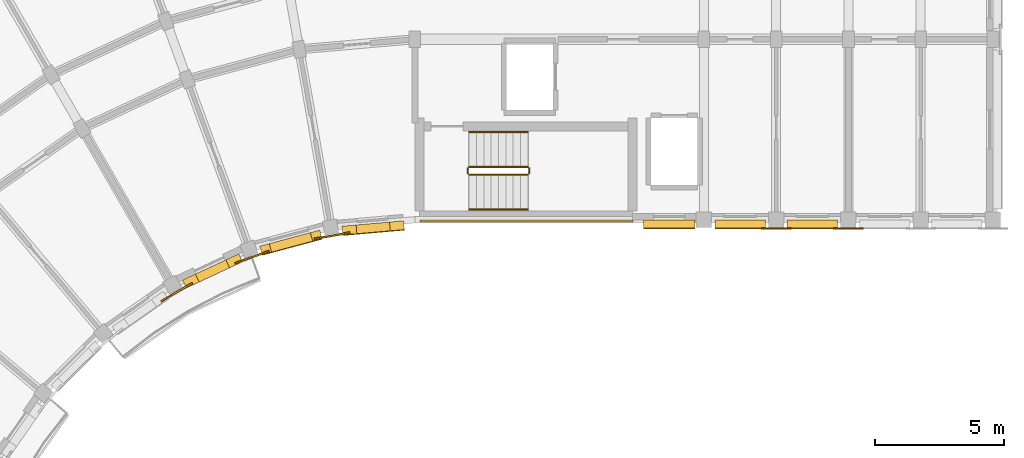
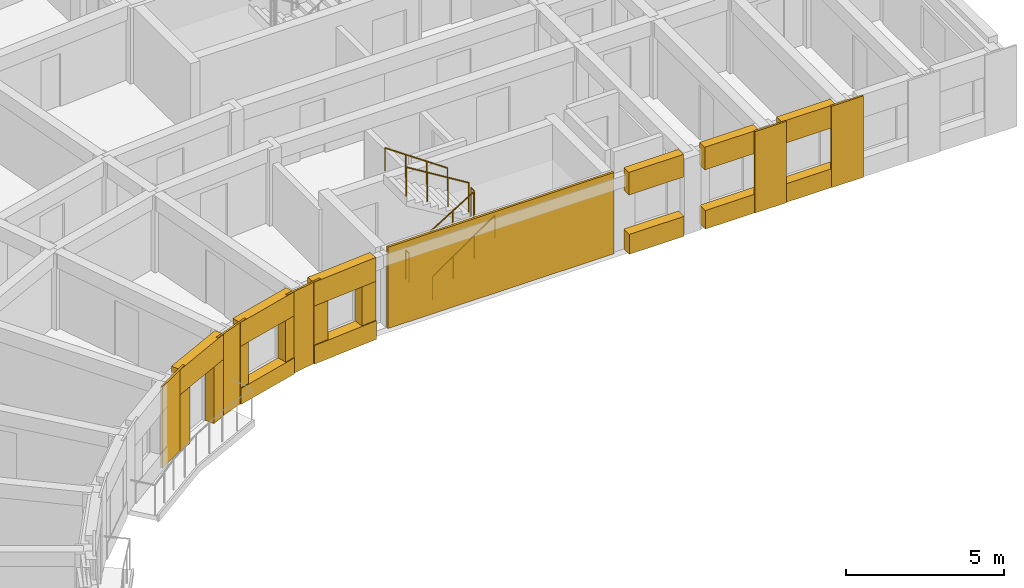
# One storey, part 29 of 36: 23 coverings, 6 railings.
"""IFC4 building model written with IfcOpenShell, lengths in metres."""

from ifc_helpers import new_model, si_unit, direction, frame, origin, origin_2d, place, context, subcontext, project, spatial, polyline, circle, outline, extrude, material, layer, layer_set, type_object, element, save


model = new_model("IFC4")

# Units and contexts
model_context = context("Model", 3, precision=1e-05, world=origin(), true_north=direction((0.0, 1.0)))
body_context = subcontext(model_context, "Body", "Model", "MODEL_VIEW")
ifc_project = project(units=[si_unit("LENGTHUNIT", "METRE"), si_unit("AREAUNIT", "SQUARE_METRE"), si_unit("VOLUMEUNIT", "CUBIC_METRE"), si_unit("PLANEANGLEUNIT", "RADIAN"), si_unit("MASSUNIT", "GRAM", prefix="KILO")], contexts=[model_context])

# Site, building, storey
site_placement = place(None, origin())
site = spatial("IfcSite", under=ifc_project, at=site_placement, CompositionType="ELEMENT")
building_placement = place(site_placement, origin())
building = spatial("IfcBuilding", under=site, at=building_placement, Name="Kiranvali Square Residences", CompositionType="ELEMENT")
storey_placement = place(building_placement, frame((0.0, 0.0, 37.050048828125)))
storey = spatial("IfcBuildingStorey", under=building, at=storey_placement, Name="L11", CompositionType="ELEMENT", Elevation=37.050048828125)

# Coverings
ifc_material_1 = material(Name="Honed Porbandar limestone ashlar facade cladding", Category="masonry")
ifc_layer_1 = layer(ifc_material_1, 0.3798828125)
ifc_layer_set_1 = layer_set([ifc_layer_1], Name="Honed Porbandar limestone ashlar facade cladding")
covering_type_1 = type_object("IfcCoveringType", Name="COV-CLAD-JAMB", PredefinedType="CLADDING", material=ifc_layer_set_1)
covering_1_placement = place(storey_placement, frame((0.0, 0.0, 0.721923828125)))
element("IfcCovering", 1, at=covering_1_placement, inside=storey, type_object=covering_type_1, Name="L11 deep limestone window jamb reveal A-L11-GDN-00.L", PredefinedType="CLADDING", context=body_context, shape_type="SweptSolid", body=[
    extrude(outline(polyline([(47.76171875, 106.56103515625), (47.21533203125, 106.513427734375), (47.244873046875, 106.175048828125), (47.791259765625, 106.222900390625), (47.76171875, 106.56103515625)])), origin(), (0.0, 0.0, 1.0), 1.5),
])
covering_2_placement = place(storey_placement, frame((0.0, 0.0, 0.721923828125)))
element("IfcCovering", 2, at=covering_2_placement, inside=storey, type_object=covering_type_1, Name="L11 deep limestone window jamb reveal A-L11-GDN-00.R", PredefinedType="CLADDING", context=body_context, shape_type="SweptSolid", body=[
    extrude(outline(polyline([(45.920166015625, 106.400146484375), (45.373779296875, 106.352294921875), (45.4033203125, 106.013916015625), (45.94970703125, 106.061767578125), (45.920166015625, 106.400146484375)])), origin(), (0.0, 0.0, 1.0), 1.5),
])
covering_3_placement = place(storey_placement, frame((0.0, 0.0, 0.6220703125)))
element("IfcCovering", 3, at=covering_3_placement, inside=storey, type_object=covering_type_1, Name="L11 deep limestone window jamb reveal A-L11-GDN-01.L", PredefinedType="CLADDING", context=body_context, shape_type="SweptSolid", body=[
    extrude(outline(polyline([(44.510498046875, 106.199951171875), (44.149658203125, 106.103271484375), (44.237548828125, 105.775390625), (44.598388671875, 105.8720703125), (44.510498046875, 106.199951171875)])), origin(), (0.0, 0.0, 1.0), 1.599853515625),
])
covering_4_placement = place(storey_placement, frame((0.0, 0.0, 0.6220703125)))
element("IfcCovering", 4, at=covering_4_placement, inside=storey, type_object=covering_type_1, Name="L11 deep limestone window jamb reveal A-L11-GDN-01.R", PredefinedType="CLADDING", context=body_context, shape_type="SweptSolid", body=[
    extrude(outline(polyline([(42.555908203125, 105.67626953125), (42.195068359375, 105.57958984375), (42.282958984375, 105.251708984375), (42.643798828125, 105.348388671875), (42.555908203125, 105.67626953125)])), origin(), (0.0, 0.0, 1.0), 1.599853515625),
])
covering_5_placement = place(storey_placement, origin())
element("IfcCovering", 5, at=covering_5_placement, inside=storey, type_object=covering_type_1, Name="L11 deep limestone window jamb reveal A-L11-GDN-02.L", PredefinedType="CLADDING", context=body_context, shape_type="SweptSolid", body=[
    extrude(outline(polyline([(41.37158203125, 105.27978515625), (40.874267578125, 105.048095703125), (41.017822265625, 104.740234375), (41.514892578125, 104.97216796875), (41.37158203125, 105.27978515625)])), origin(), (0.0, 0.0, 1.0), 2.179931640625),
])
covering_6_placement = place(storey_placement, origin())
element("IfcCovering", 6, at=covering_6_placement, inside=storey, type_object=covering_type_1, Name="L11 deep limestone window jamb reveal A-L11-GDN-02.R", PredefinedType="CLADDING", context=body_context, shape_type="SweptSolid", body=[
    extrude(outline(polyline([(39.696044921875, 104.49853515625), (39.198974609375, 104.266845703125), (39.342529296875, 103.958984375), (39.839599609375, 104.19091796875), (39.696044921875, 104.49853515625)])), origin(), (0.0, 0.0, 1.0), 2.179931640625),
])
ifc_layer_2 = layer(ifc_material_1, 0.06494140625)
ifc_layer_set_2 = layer_set([ifc_layer_2], Name="Honed Porbandar limestone ashlar facade cladding")
covering_type_2 = type_object("IfcCoveringType", Name="COV-CLAD-PIER", PredefinedType="CLADDING", material=ifc_layer_set_2)
covering_7_placement = place(storey_placement, frame((0.0, 0.0, 0.0048828125)))
element("IfcCovering", 7, at=covering_7_placement, inside=storey, type_object=covering_type_2, Name="Block A L11 garden stair limestone ashlar cladding", PredefinedType="CLADDING", context=body_context, shape_type="SweptSolid", body=[
    extrude(outline(polyline([(48.39990234375, 106.52001953125), (56.64990234375, 106.52001953125), (56.64990234375, 106.597900390625), (48.39990234375, 106.597900390625), (48.39990234375, 106.52001953125)])), origin(), (0.0, 0.0, 1.0), 3.14013671875),
])
ifc_layer_3 = layer(ifc_material_1, 0.050048828125)
ifc_layer_set_3 = layer_set([ifc_layer_3], Name="Honed Porbandar limestone ashlar facade cladding")
covering_type_3 = type_object("IfcCoveringType", Name="COV-CLAD-PIER-IN", PredefinedType="CLADDING", material=ifc_layer_set_3)
covering_8_placement = place(storey_placement, frame((0.0, 0.0, 0.0048828125)))
element("IfcCovering", 8, at=covering_8_placement, inside=storey, type_object=covering_type_3, Name="L11 Classical garden courtyard pilaster CLAD-PRIN-A-L11-A01", PredefinedType="CLADDING", context=body_context, shape_type="SweptSolid", body=[
    extrude(outline(polyline([(44.31005859375, 105.830322265625), (45.688720703125, 106.073486328125), (45.677001953125, 106.139892578125), (44.29833984375, 105.89697265625), (44.31005859375, 105.830322265625)])), origin(), (0.0, 0.0, 1.0), 3.14013671875),
])
covering_9_placement = place(storey_placement, frame((0.0, 0.0, 0.0048828125)))
element("IfcCovering", 9, at=covering_9_placement, inside=storey, type_object=covering_type_3, Name="L11 Classical garden courtyard pilaster CLAD-PRIN-A-L11-A02", PredefinedType="CLADDING", context=body_context, shape_type="SweptSolid", body=[
    extrude(outline(polyline([(41.238037109375, 104.881103515625), (42.5537109375, 105.35986328125), (42.530517578125, 105.42333984375), (41.215087890625, 104.9443359375), (41.238037109375, 104.881103515625)])), origin(), (0.0, 0.0, 1.0), 3.14013671875),
])
covering_10_placement = place(storey_placement, frame((0.0, 0.0, 0.0048828125)))
element("IfcCovering", 10, at=covering_10_placement, inside=storey, type_object=covering_type_3, Name="L11 Classical garden courtyard pilaster CLAD-PRIN-A-L11-A03", PredefinedType="CLADDING", context=body_context, shape_type="SweptSolid", body=[
    extrude(outline(polyline([(38.377685546875, 103.41259765625), (39.59033203125, 104.112548828125), (39.556396484375, 104.171142578125), (38.343994140625, 103.470947265625), (38.377685546875, 103.41259765625)])), origin(), (0.0, 0.0, 1.0), 3.14013671875),
])
covering_11_placement = place(storey_placement, frame((0.0, 0.0, 0.0048828125)))
element("IfcCovering", 11, at=covering_11_placement, inside=storey, type_object=covering_type_3, Name="L11 Classical limestone pilaster casing CLAD-PRA1I-A-L11-U140", PredefinedType="CLADDING", context=body_context, shape_type="SweptSolid", body=[
    extrude(outline(polyline([(61.6201171875, 106.23193359375), (62.780029296875, 106.23193359375), (62.780029296875, 106.299560546875), (61.6201171875, 106.299560546875), (61.6201171875, 106.23193359375)])), origin(), (0.0, 0.0, 1.0), 3.14013671875),
])
covering_12_placement = place(storey_placement, frame((0.0, 0.0, 0.0048828125)))
element("IfcCovering", 12, at=covering_12_placement, inside=storey, type_object=covering_type_3, Name="L11 Classical limestone pilaster casing CLAD-PRA1I-A-L11-U167", PredefinedType="CLADDING", context=body_context, shape_type="SweptSolid", body=[
    extrude(outline(polyline([(64.419921875, 106.23193359375), (65.580078125, 106.23193359375), (65.580078125, 106.299560546875), (64.419921875, 106.299560546875), (64.419921875, 106.23193359375)])), origin(), (0.0, 0.0, 1.0), 3.14013671875),
])
ifc_layer_4 = layer(ifc_material_1, 0.360107421875)
ifc_layer_set_4 = layer_set([ifc_layer_4], Name="Honed Porbandar limestone ashlar facade cladding")
covering_type_4 = type_object("IfcCoveringType", Name="COV-CLAD-WALL", PredefinedType="CLADDING", material=ifc_layer_set_4)
covering_13_placement = place(storey_placement, frame((0.0, 0.0, 2.221923828125)))
element("IfcCovering", 13, at=covering_13_placement, inside=storey, type_object=covering_type_4, Name="L11 light limestone spandrel lintel A-L11-GDN-00", PredefinedType="CLADDING", context=body_context, shape_type="SweptSolid", body=[
    extrude(outline(polyline([(47.76171875, 106.56103515625), (45.373779296875, 106.352294921875), (45.4033203125, 106.013916015625), (47.791259765625, 106.222900390625), (47.76171875, 106.56103515625)])), origin(), (0.0, 0.0, 1.0), 0.923095703125),
])
covering_14_placement = place(storey_placement, frame((0.0, 0.0, 2.221923828125)))
element("IfcCovering", 14, at=covering_14_placement, inside=storey, type_object=covering_type_4, Name="L11 light limestone spandrel lintel A-L11-GDN-01", PredefinedType="CLADDING", context=body_context, shape_type="SweptSolid", body=[
    extrude(outline(polyline([(44.510498046875, 106.199951171875), (42.195068359375, 105.57958984375), (42.282958984375, 105.251708984375), (44.598388671875, 105.8720703125), (44.510498046875, 106.199951171875)])), origin(), (0.0, 0.0, 1.0), 0.923095703125),
])
covering_15_placement = place(storey_placement, frame((0.0, 0.0, 2.179931640625)))
element("IfcCovering", 15, at=covering_15_placement, inside=storey, type_object=covering_type_4, Name="L11 light limestone spandrel lintel A-L11-GDN-02", PredefinedType="CLADDING", context=body_context, shape_type="SweptSolid", body=[
    extrude(outline(polyline([(41.37158203125, 105.27978515625), (39.198974609375, 104.266845703125), (39.342529296875, 103.958984375), (41.514892578125, 104.97216796875), (41.37158203125, 105.27978515625)])), origin(), (0.0, 0.0, 1.0), 0.965087890625),
])
covering_16_placement = place(storey_placement, frame((0.0, 0.0, 2.27197265625)))
element("IfcCovering", 16, at=covering_16_placement, inside=storey, type_object=covering_type_4, Name="L11 light limestone spandrel lintel A-L11-A1IN-0", PredefinedType="CLADDING", context=body_context, shape_type="SweptSolid", body=[
    extrude(outline(polyline([(57.050048828125, 106.280029296875), (59.050048828125, 106.280029296875), (59.050048828125, 106.599609375), (57.050048828125, 106.599609375), (57.050048828125, 106.280029296875)])), origin(), (0.0, 0.0, 1.0), 0.873046875),
])
covering_17_placement = place(storey_placement, frame((0.0, 0.0, 2.27197265625)))
element("IfcCovering", 17, at=covering_17_placement, inside=storey, type_object=covering_type_4, Name="L11 light limestone spandrel lintel A-L11-A1I-0", PredefinedType="CLADDING", context=body_context, shape_type="SweptSolid", body=[
    extrude(outline(polyline([(59.820068359375, 106.280029296875), (61.780029296875, 106.280029296875), (61.780029296875, 106.599609375), (59.820068359375, 106.599609375), (59.820068359375, 106.280029296875)])), origin(), (0.0, 0.0, 1.0), 0.873046875),
])
covering_18_placement = place(storey_placement, frame((0.0, 0.0, 2.27197265625)))
element("IfcCovering", 18, at=covering_18_placement, inside=storey, type_object=covering_type_4, Name="L11 light limestone spandrel lintel A-L11-A1I-1", PredefinedType="CLADDING", context=body_context, shape_type="SweptSolid", body=[
    extrude(outline(polyline([(62.6201171875, 106.280029296875), (64.580078125, 106.280029296875), (64.580078125, 106.599609375), (62.6201171875, 106.599609375), (62.6201171875, 106.280029296875)])), origin(), (0.0, 0.0, 1.0), 0.873046875),
])
ifc_layer_5 = layer(ifc_material_1, 0.320068359375)
ifc_layer_set_5 = layer_set([ifc_layer_5], Name="Honed Porbandar limestone ashlar facade cladding")
covering_type_5 = type_object("IfcCoveringType", Name="COV-CLAD-WALL-UP", PredefinedType="CLADDING", material=ifc_layer_set_5)
covering_19_placement = place(storey_placement, frame((0.0, 0.0, 0.0048828125)))
element("IfcCovering", 19, at=covering_19_placement, inside=storey, type_object=covering_type_5, Name="L11 limestone window sill apron A-L11-GDN-00", PredefinedType="CLADDING", context=body_context, shape_type="SweptSolid", body=[
    extrude(outline(polyline([(47.76171875, 106.56103515625), (45.373779296875, 106.352294921875), (45.406005859375, 105.984130859375), (47.7939453125, 106.193115234375), (47.76171875, 106.56103515625)])), origin(), (0.0, 0.0, 1.0), 0.717041015625),
])
covering_20_placement = place(storey_placement, frame((0.0, 0.0, 0.0048828125)))
element("IfcCovering", 20, at=covering_20_placement, inside=storey, type_object=covering_type_5, Name="L11 limestone window sill apron A-L11-GDN-01", PredefinedType="CLADDING", context=body_context, shape_type="SweptSolid", body=[
    extrude(outline(polyline([(44.510498046875, 106.199951171875), (42.195068359375, 105.57958984375), (42.290771484375, 105.22265625), (44.606201171875, 105.843017578125), (44.510498046875, 106.199951171875)])), origin(), (0.0, 0.0, 1.0), 0.6171875),
])
covering_21_placement = place(storey_placement, frame((0.0, 0.0, 0.0048828125)))
element("IfcCovering", 21, at=covering_21_placement, inside=storey, type_object=covering_type_5, Name="L11 limestone window sill apron A-L11-A1IN-0", PredefinedType="CLADDING", context=body_context, shape_type="SweptSolid", body=[
    extrude(outline(polyline([(57.050048828125, 106.25), (59.050048828125, 106.25), (59.050048828125, 106.599609375), (57.050048828125, 106.599609375), (57.050048828125, 106.25)])), origin(), (0.0, 0.0, 1.0), 0.76708984375),
])
covering_22_placement = place(storey_placement, frame((0.0, 0.0, 0.0048828125)))
element("IfcCovering", 22, at=covering_22_placement, inside=storey, type_object=covering_type_5, Name="L11 limestone window sill apron A-L11-A1I-0", PredefinedType="CLADDING", context=body_context, shape_type="SweptSolid", body=[
    extrude(outline(polyline([(59.820068359375, 106.25), (61.780029296875, 106.25), (61.780029296875, 106.599609375), (59.820068359375, 106.599609375), (59.820068359375, 106.25)])), origin(), (0.0, 0.0, 1.0), 0.717041015625),
])
covering_23_placement = place(storey_placement, frame((0.0, 0.0, 0.0048828125)))
element("IfcCovering", 23, at=covering_23_placement, inside=storey, type_object=covering_type_5, Name="L11 limestone window sill apron A-L11-A1I-1", PredefinedType="CLADDING", context=body_context, shape_type="SweptSolid", body=[
    extrude(outline(polyline([(62.6201171875, 106.25), (64.580078125, 106.25), (64.580078125, 106.599609375), (62.6201171875, 106.599609375), (62.6201171875, 106.25)])), origin(), (0.0, 0.0, 1.0), 0.717041015625),
])

# Railings
ifc_material_2 = material(Name="Brushed stainless steel tubular handrail", Category="steel")
railing_type_1 = type_object("IfcRailingType", Name="RL-HANDRAIL-900", PredefinedType="HANDRAIL", material=ifc_material_2)
railing_1_placement = place(storey_placement, frame((50.300048828125, 107.0, 0.175048828125)))
element("IfcRailing", 24, at=railing_1_placement, inside=storey, type_object=railing_type_1, Name="L11 ST-A2 stair handrail 1", PredefinedType="HANDRAIL", context=body_context, shape_type="SweptSolid", body=[
    extrude(circle(Radius=0.02392578125, at=origin_2d()), frame((0.0, 0.0, 0.8759765625), z_axis=(0.82278801735, 0.0, 0.568348377763), x_axis=(0.0, 1.0, 0.0)), (0.0, 0.0, 1.0), 2.77099609375),
    extrude(circle(Radius=0.02099609375, at=origin_2d()), origin(), (0.0, 0.0, 1.0), 0.851806640625),
    extrude(circle(Radius=0.02099609375, at=origin_2d()), frame((0.760009765625, 0.0, 0.52490234375)), (0.0, 0.0, 1.0), 0.851806640625),
    extrude(circle(Radius=0.02099609375, at=origin_2d()), frame((1.52001953125, 0.0, 1.050048828125)), (0.0, 0.0, 1.0), 0.851806640625),
    extrude(circle(Radius=0.02099609375, at=origin_2d()), frame((2.280029296875, 0.0, 1.574951171875)), (0.0, 0.0, 1.0), 0.851806640625),
])
railing_2_placement = place(storey_placement, frame((52.580078125, 110.0, 1.75)))
element("IfcRailing", 25, at=railing_2_placement, inside=storey, type_object=railing_type_1, Name="L11 ST-A2 stair handrail 2", PredefinedType="HANDRAIL", context=body_context, shape_type="SweptSolid", body=[
    extrude(circle(Radius=0.02392578125, at=origin_2d()), frame((0.0, 0.0, 0.8759765625), z_axis=(-0.82278801735, 0.0, 0.568348377763), x_axis=(0.0, -1.0, 0.0)), (0.0, 0.0, 1.0), 2.77099609375),
    extrude(circle(Radius=0.02099609375, at=origin_2d()), origin(), (0.0, 0.0, 1.0), 0.851806640625),
    extrude(circle(Radius=0.02099609375, at=origin_2d()), frame((-0.760009765625, 0.0, 0.52490234375)), (0.0, 0.0, 1.0), 0.851806640625),
    extrude(circle(Radius=0.02099609375, at=origin_2d()), frame((-1.52001953125, 0.0, 1.050048828125)), (0.0, 0.0, 1.0), 0.851806640625),
    extrude(circle(Radius=0.02099609375, at=origin_2d()), frame((-2.280029296875, 0.0, 1.574951171875)), (0.0, 0.0, 1.0), 0.851806640625),
])
ifc_material_3 = material(Name="Powder-coated architectural bronze balustrade", Category="steel")
railing_type_2 = type_object("IfcRailingType", Name="RL-ST-GUARD-1200", PredefinedType="GUARDRAIL", material=ifc_material_3)
railing_3_placement = place(storey_placement, frame((50.300048828125, 108.35009765625, 0.175048828125)))
element("IfcRailing", 26, at=railing_3_placement, inside=storey, type_object=railing_type_2, Name="L11 ST-A2 stair guard 1", PredefinedType="GUARDRAIL", context=body_context, shape_type="SweptSolid", body=[
    extrude(circle(Radius=0.02392578125, at=origin_2d()), frame((0.0, 0.0, 1.1259765625), z_axis=(0.852190499154, 0.0, 0.523231643875), x_axis=(0.0, 1.0, 0.0)), (0.0, 0.0, 1.0), 2.675537109375),
    extrude(circle(Radius=0.02099609375, at=origin_2d()), origin(), (0.0, 0.0, 1.0), 1.101806640625),
    extrude(circle(Radius=0.02099609375, at=origin_2d()), frame((0.760009765625, 0.0, 0.466552734375)), (0.0, 0.0, 1.0), 1.101806640625),
    extrude(circle(Radius=0.02099609375, at=origin_2d()), frame((1.52001953125, 0.0, 0.933349609375)), (0.0, 0.0, 1.0), 1.101806640625),
    extrude(circle(Radius=0.02099609375, at=origin_2d()), frame((2.280029296875, 0.0, 1.39990234375)), (0.0, 0.0, 1.0), 1.101806640625),
])
railing_4_placement = place(storey_placement, frame((52.6298828125, 108.39990234375, 1.574951171875)))
element("IfcRailing", 27, at=railing_4_placement, inside=storey, type_object=railing_type_2, Name="L11 ST-A2 stair guard 2", PredefinedType="GUARDRAIL", context=body_context, shape_type="SweptSolid", body=[
    extrude(circle(Radius=0.02392578125, at=origin_2d()), frame((0.0, 0.0, 1.1259765625), z_axis=(0.0, 1.0, 0.0), x_axis=(-1.0, 0.0, 0.0)), (0.0, 0.0, 1.0), 0.2001953125),
    extrude(circle(Radius=0.02099609375, at=origin_2d()), origin(), (0.0, 0.0, 1.0), 1.101806640625),
    extrude(circle(Radius=0.02099609375, at=origin_2d()), frame((0.0, 0.2001953125, 0.0)), (0.0, 0.0, 1.0), 1.101806640625),
])
railing_5_placement = place(storey_placement, frame((52.580078125, 108.64990234375, 1.75)))
element("IfcRailing", 28, at=railing_5_placement, inside=storey, type_object=railing_type_2, Name="L11 ST-A2 stair guard 3", PredefinedType="GUARDRAIL", context=body_context, shape_type="SweptSolid", body=[
    extrude(circle(Radius=0.02392578125, at=origin_2d()), frame((0.0, 0.0, 1.1259765625), z_axis=(-0.852190499154, 0.0, 0.523231643875), x_axis=(0.0, -1.0, 0.0)), (0.0, 0.0, 1.0), 2.675537109375),
    extrude(circle(Radius=0.02099609375, at=origin_2d()), origin(), (0.0, 0.0, 1.0), 1.101806640625),
    extrude(circle(Radius=0.02099609375, at=origin_2d()), frame((-0.760009765625, 0.0, 0.466552734375)), (0.0, 0.0, 1.0), 1.101806640625),
    extrude(circle(Radius=0.02099609375, at=origin_2d()), frame((-1.52001953125, 0.0, 0.933349609375)), (0.0, 0.0, 1.0), 1.101806640625),
    extrude(circle(Radius=0.02099609375, at=origin_2d()), frame((-2.280029296875, 0.0, 1.39990234375)), (0.0, 0.0, 1.0), 1.101806640625),
])
railing_6_placement = place(storey_placement, frame((50.25, 108.39990234375, 0.0)))
element("IfcRailing", 29, at=railing_6_placement, inside=storey, type_object=railing_type_2, Name="L11 ST-A2 stair guard 4", PredefinedType="GUARDRAIL", context=body_context, shape_type="SweptSolid", body=[
    extrude(circle(Radius=0.02392578125, at=origin_2d()), frame((0.0, 0.0, 1.1259765625), z_axis=(0.0, 1.0, 0.0), x_axis=(-1.0, 0.0, 0.0)), (0.0, 0.0, 1.0), 0.2001953125),
    extrude(circle(Radius=0.02099609375, at=origin_2d()), origin(), (0.0, 0.0, 1.0), 1.101806640625),
    extrude(circle(Radius=0.02099609375, at=origin_2d()), frame((0.0, 0.2001953125, 0.0)), (0.0, 0.0, 1.0), 1.101806640625),
])

save(model, "model.ifc")
